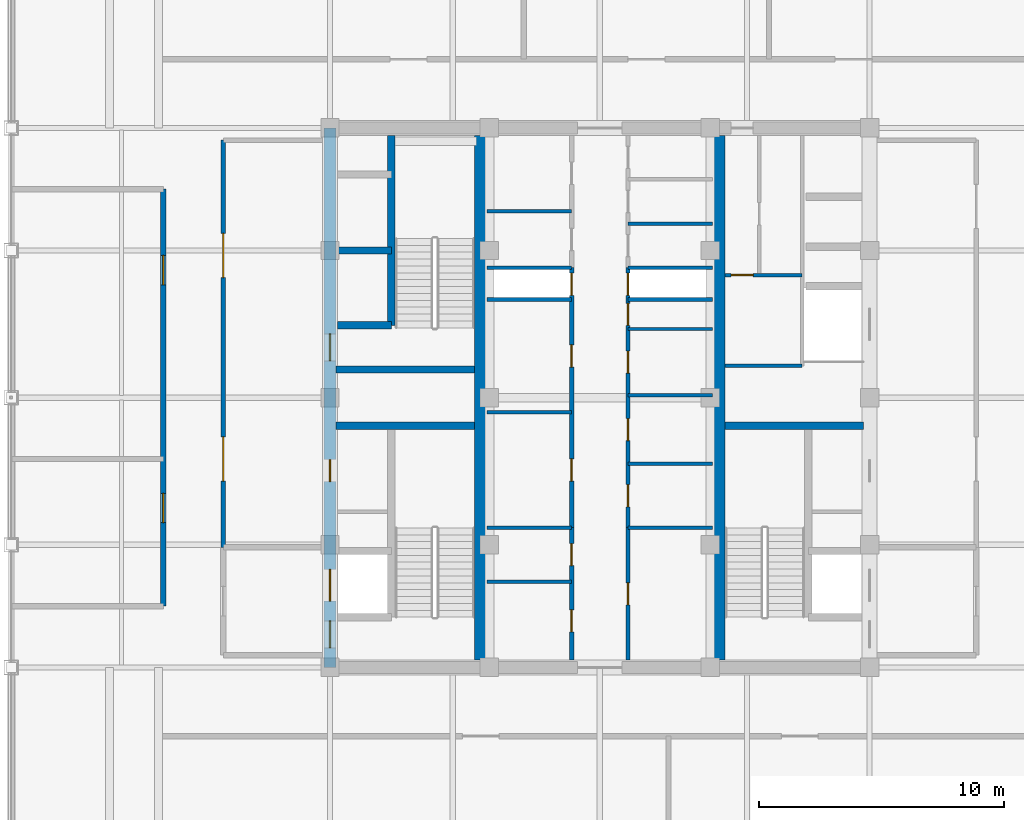
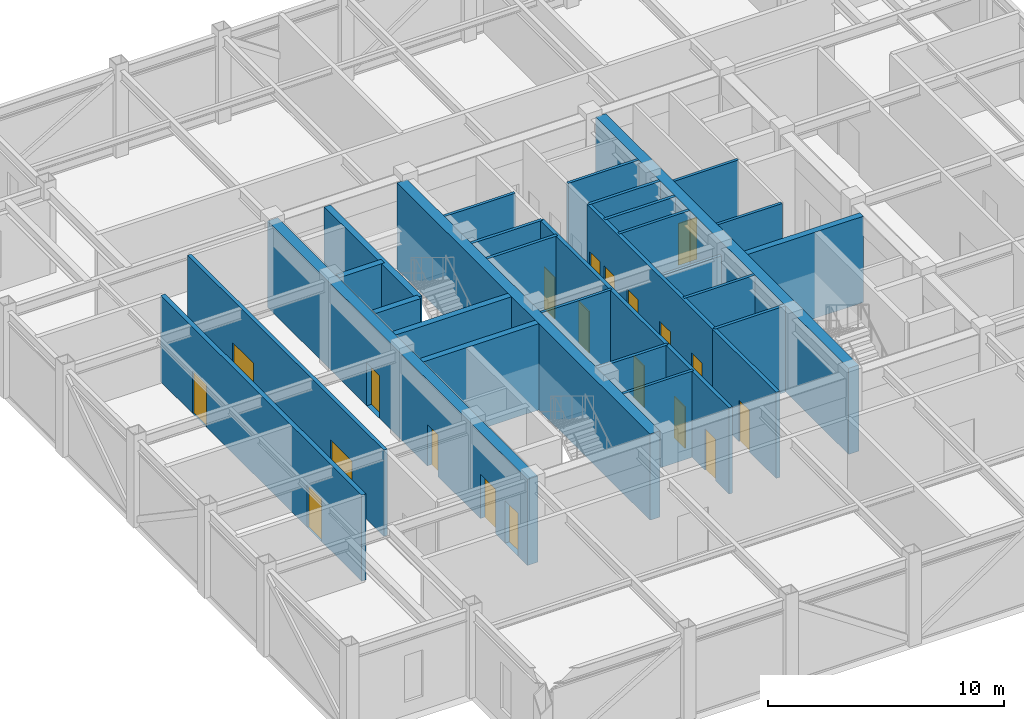
# One storey, part 24 of 27: 30 walls, 20 doors, 20 openings.
"""IFC4 building model written with IfcOpenShell, lengths in metres."""

from ifc_helpers import new_model, si_unit, direction, frame, frame_2d, origin, place, context, subcontext, project, spatial, rectangle, extrude, source, transform, mapped, material, layer, layer_set, type_object, element, fill, save


model = new_model("IFC4")

# Units and contexts
model_context = context("Model", 3, precision=1e-05, world=origin(), true_north=direction((0.0, 1.0)))
body_context = subcontext(model_context, "Body", "Model", "MODEL_VIEW")
ifc_project = project(units=[si_unit("LENGTHUNIT", "METRE"), si_unit("AREAUNIT", "SQUARE_METRE"), si_unit("VOLUMEUNIT", "CUBIC_METRE"), si_unit("PLANEANGLEUNIT", "RADIAN"), si_unit("MASSUNIT", "GRAM", prefix="KILO")], contexts=[model_context])

# Site, building, storey
site_placement = place(None, origin())
site = spatial("IfcSite", under=ifc_project, at=site_placement, CompositionType="ELEMENT")
building_placement = place(site_placement, origin())
building = spatial("IfcBuilding", under=site, at=building_placement, Name="Khorayat Bourse Tower", CompositionType="ELEMENT")
storey_placement = place(building_placement, frame((0.0, 0.0, 389.89990234375)))
storey = spatial("IfcBuildingStorey", under=building, at=storey_placement, Name="L92", CompositionType="ELEMENT", Elevation=389.89990234375)

# Wall, openings, doors
ifc_material_1 = material(Name="Concrete C52/65", Category="concrete")
ifc_layer_1 = layer(ifc_material_1, 0.5)
ifc_layer_set_1 = layer_set([ifc_layer_1], Name="Concrete C52/65")
wall_type_1 = type_object("IfcWallType", Name="WAL-CORE-500", PredefinedType="SHEAR", material=ifc_layer_set_1)
shared_shape_1 = source(origin(), body_context, "Body", "SweptSolid", [
    extrude(rectangle(XDim=22.0, YDim=0.5, at=frame_2d((11.0, 0.0))), origin(), (0.0, 0.0, 1.0), 4.4501953125),
])
wall_1_placement = place(storey_placement, frame((-11.0, -11.0, 0.0), z_axis=(0.0, 0.0, 1.0), x_axis=(0.0, 1.0, 0.0)))
wall_1 = element("IfcWall", 1, at=wall_1_placement, inside=storey, type_object=wall_type_1, Name="L92 Core Shear Wall CORE-W", PredefinedType="SHEAR", context=body_context, shape_type="MappedRepresentation", body=[
    mapped(shared_shape_1, transform((0.0, 0.0, 0.0), scale=1.0)),
])
shared_shape_2 = source(origin(), body_context, "Body", "SweptSolid", [
    extrude(rectangle(XDim=1.10009765625, YDim=2.199951171875, at=frame_2d((0.550048828125, 1.10009765625))), frame((0.0, 0.260009765625, 0.0), z_axis=(0.0, -1.0, 0.0), x_axis=(1.0, 0.0, 0.0)), (0.0, 0.0, 1.0), 0.52001953125),
])
opening_1_placement = place(wall_1_placement, frame((0.800048828125, 0.0, 0.0)))
opening_1 = element("IfcOpeningElement", 2, at=opening_1_placement, cuts=wall_1, Name="Opening DI-01", PredefinedType="OPENING", context=body_context, shape_type="MappedRepresentation", body=[
    mapped(shared_shape_2, transform((0.0, 0.0, 0.0), scale=1.0)),
])
opening_2_placement = place(wall_1_placement, frame((12.5, 0.0, 0.0)))
opening_2 = element("IfcOpeningElement", 3, at=opening_2_placement, cuts=wall_1, Name="Opening DI-01", PredefinedType="OPENING", context=body_context, shape_type="MappedRepresentation", body=[
    mapped(shared_shape_2, transform((0.0, 0.0, 0.0), scale=1.0)),
])
shared_shape_3 = source(origin(), body_context, "Body", "SweptSolid", [
    extrude(rectangle(XDim=0.89990234375, YDim=2.14990234375, at=frame_2d((0.449951171875, 1.074951171875))), frame((0.0, 0.260009765625, 0.0), z_axis=(0.0, -1.0, 0.0), x_axis=(1.0, 0.0, 0.0)), (0.0, 0.0, 1.0), 0.52001953125),
])
opening_3_placement = place(wall_1_placement, frame((7.574951171875, 0.0, 0.0)))
opening_3 = element("IfcOpeningElement", 4, at=opening_3_placement, cuts=wall_1, Name="Opening DI-06", PredefinedType="OPENING", context=body_context, shape_type="MappedRepresentation", body=[
    mapped(shared_shape_3, transform((0.0, 0.0, 0.0), scale=1.0)),
])
shared_shape_4 = source(origin(), body_context, "Body", "SweptSolid", [
    extrude(rectangle(XDim=1.300048828125, YDim=2.300048828125, at=frame_2d((0.64990234375, 1.14990234375))), frame((0.0, 0.260009765625, 0.0), z_axis=(0.0, -1.0, 0.0), x_axis=(1.0, 0.0, 0.0)), (0.0, 0.0, 1.0), 0.52001953125),
])
opening_4_placement = place(wall_1_placement, frame((2.699951171875, 0.0, 0.0)))
opening_4 = element("IfcOpeningElement", 5, at=opening_4_placement, cuts=wall_1, Name="Opening LD-02", PredefinedType="OPENING", context=body_context, shape_type="MappedRepresentation", body=[
    mapped(shared_shape_4, transform((0.0, 0.0, 0.0), scale=1.0)),
])
ifc_material_2 = material(Name="Fire-rated steel acoustic leaf", Category="steel")
door_type_1 = type_object("IfcDoorType", Name="DR-INT-STAIR-1100", OperationType="NOTDEFINED", PredefinedType="DOOR", material=ifc_material_2)
shared_shape_5 = source(origin(), body_context, "Body", "SweptSolid", [
    extrude(rectangle(XDim=1.10009765625, YDim=2.199951171875, at=frame_2d((0.550048828125, 1.10009765625))), frame((0.0, 0.02490234375, 0.0), z_axis=(0.0, -1.0, 0.0), x_axis=(1.0, 0.0, 0.0)), (0.0, 0.0, 1.0), 0.050048828125),
])
door_1_placement = place(opening_1_placement, origin())
door_1 = element("IfcDoor", 6, at=door_1_placement, inside=storey, type_object=door_type_1, Name="L92 Exit Stair 1 Door", OperationType="SINGLE_SWING_RIGHT", OverallHeight=2.199951171875, OverallWidth=1.10009765625, PredefinedType="DOOR", context=body_context, shape_type="MappedRepresentation", body=[
    mapped(shared_shape_5, transform((0.0, 0.0, 0.0), scale=1.0)),
])
fill(opening_1, door_1)
door_2_placement = place(opening_2_placement, origin())
door_2 = element("IfcDoor", 7, at=door_2_placement, inside=storey, type_object=door_type_1, Name="L92 Exit Stair 2 Door", OperationType="SINGLE_SWING_RIGHT", OverallHeight=2.199951171875, OverallWidth=1.10009765625, PredefinedType="DOOR", context=body_context, shape_type="MappedRepresentation", body=[
    mapped(shared_shape_5, transform((0.0, 0.0, 0.0), scale=1.0)),
])
fill(opening_2, door_2)
ifc_material_3 = material(Name="Moisture-resistant laminate washroom door")
door_type_2 = type_object("IfcDoorType", Name="DR-INT-WC-900", OperationType="NOTDEFINED", PredefinedType="DOOR", material=ifc_material_3)
shared_shape_6 = source(origin(), body_context, "Body", "SweptSolid", [
    extrude(rectangle(XDim=0.89990234375, YDim=2.14990234375, at=frame_2d((0.449951171875, 1.074951171875))), frame((0.0, 0.02490234375, 0.0), z_axis=(0.0, -1.0, 0.0), x_axis=(1.0, 0.0, 0.0)), (0.0, 0.0, 1.0), 0.050048828125),
])
door_3_placement = place(opening_3_placement, origin())
door_3 = element("IfcDoor", 8, at=door_3_placement, inside=storey, type_object=door_type_2, Name="L92 UPS Switch Plant Room Door", OperationType="SINGLE_SWING_RIGHT", OverallHeight=2.14990234375, OverallWidth=0.89990234375, PredefinedType="DOOR", context=body_context, shape_type="MappedRepresentation", body=[
    mapped(shared_shape_6, transform((0.0, 0.0, 0.0), scale=1.0)),
])
fill(opening_3, door_3)
ifc_material_4 = material(Name="Fire-rated stainless-steel sliding landing door", Category="steel")
door_type_3 = type_object("IfcDoorType", Name="DR-LIFT-FF-1300", OperationType="NOTDEFINED", PredefinedType="DOOR", material=ifc_material_4)
shared_shape_7 = source(origin(), body_context, "Body", "SweptSolid", [
    extrude(rectangle(XDim=1.300048828125, YDim=2.300048828125, at=frame_2d((0.64990234375, 1.14990234375))), frame((0.0, 0.02490234375, 0.0), z_axis=(0.0, -1.0, 0.0), x_axis=(1.0, 0.0, 0.0)), (0.0, 0.0, 1.0), 0.050048828125),
])
door_4_placement = place(opening_4_placement, origin())
door_4 = element("IfcDoor", 9, at=door_4_placement, inside=storey, type_object=door_type_3, Name="L92 Lift FFL-01 Sliding Landing Door", OperationType="SLIDING_TO_LEFT", OverallHeight=2.300048828125, OverallWidth=1.300048828125, PredefinedType="DOOR", context=body_context, shape_type="MappedRepresentation", body=[
    mapped(shared_shape_7, transform((0.0, 0.0, 0.0), scale=1.0)),
])
fill(opening_4, door_4)

# Walls
shared_shape_8 = source(origin(), body_context, "Body", "SweptSolid", [
    extrude(rectangle(XDim=21.39990234375, YDim=0.5, at=frame_2d((10.699951171875, 0.0))), origin(), (0.0, 0.0, 1.0), 4.4501953125),
])
for number, where, z_axis, x_axis, name in (
    (10, (-4.85009765625, -10.699951171875, 0.0), (0.0, 0.0, 1.0), (0.0, 1.0, 0.0), "L92 Core Shear Wall PIER-W"),
    (11, (4.85009765625, -10.699951171875, 0.0), (0.0, 0.0, 1.0), (0.0, 1.0, 0.0), "L92 Core Shear Wall PIER-E"),
):
    element("IfcWall", number, at=place(storey_placement, frame(where, z_axis=z_axis, x_axis=x_axis)), inside=storey, type_object=wall_type_1, Name=name, PredefinedType="SHEAR", context=body_context, shape_type="MappedRepresentation", body=[
        mapped(shared_shape_8, transform((0.0, 0.0, 0.0), scale=1.0)),
    ])
ifc_material_5 = material(Name="Concrete C50/60", Category="concrete")
ifc_layer_2 = layer(ifc_material_5, 0.300048828125)
ifc_layer_set_2 = layer_set([ifc_layer_2], Name="Concrete C50/60")
wall_type_2 = type_object("IfcWallType", Name="WAL-SHAFT-300", PredefinedType="SHEAR", material=ifc_layer_set_2)
shared_shape_9 = source(origin(), body_context, "Body", "SweptSolid", [
    extrude(rectangle(XDim=5.64990234375, YDim=0.300048828125, at=frame_2d((2.824951171875, 0.0))), origin(), (0.0, 0.0, 1.0), 4.4501953125),
])
for number, where, z_axis, x_axis, name in (
    (12, (-10.75, -1.14990234375, 0.0), (0.0, 0.0, 1.0), (1.0, 0.0, 0.0), "L92 Core Shear Wall ST1-DIV"),
    (13, (-10.75, 1.14990234375, 0.0), (0.0, 0.0, 1.0), (1.0, 0.0, 0.0), "L92 Core Shear Wall ST2-DIV"),
    (14, (5.10009765625, -1.14990234375, 0.0), (0.0, 0.0, 1.0), (1.0, 0.0, 0.0), "L92 Core Shear Wall ST3-DIV"),
):
    element("IfcWall", number, at=place(storey_placement, frame(where, z_axis=z_axis, x_axis=x_axis)), inside=storey, type_object=wall_type_2, Name=name, PredefinedType="SHEAR", context=body_context, shape_type="MappedRepresentation", body=[
        mapped(shared_shape_9, transform((0.0, 0.0, 0.0), scale=1.0)),
    ])
shared_shape_10 = source(origin(), body_context, "Body", "SweptSolid", [
    extrude(rectangle(XDim=2.199951171875, YDim=0.300048828125, at=frame_2d((1.10009765625, 0.0))), origin(), (0.0, 0.0, 1.0), 4.4501953125),
])
for number, where, z_axis, x_axis, name in (
    (15, (-10.699951171875, 2.949951171875, 0.0), (0.0, 0.0, 1.0), (1.0, 0.0, 0.0), "L92 Partition WAL-L92-WPIER-H1S"),
    (16, (-10.699951171875, 6.0, 0.0), (0.0, 0.0, 1.0), (1.0, 0.0, 0.0), "L92 Partition WAL-L92-WPIER-H12"),
):
    element("IfcWall", number, at=place(storey_placement, frame(where, z_axis=z_axis, x_axis=x_axis)), inside=storey, type_object=wall_type_2, Name=name, PredefinedType="SHEAR", context=body_context, shape_type="MappedRepresentation", body=[
        mapped(shared_shape_10, transform((0.0, 0.0, 0.0), scale=1.0)),
    ])
shared_shape_11 = source(origin(), body_context, "Body", "SweptSolid", [
    extrude(rectangle(XDim=7.75, YDim=0.300048828125, at=frame_2d((3.875, 0.0))), origin(), (0.0, 0.0, 1.0), 4.4501953125),
])
wall_2_placement = place(storey_placement, frame((-8.5, 2.949951171875, 0.0), z_axis=(0.0, 0.0, 1.0), x_axis=(0.0, 1.0, 0.0)))
element("IfcWall", 17, at=wall_2_placement, inside=storey, type_object=wall_type_2, Name="L92 Partition WAL-L92-WPIER-ST2S", PredefinedType="SHEAR", context=body_context, shape_type="MappedRepresentation", body=[
    mapped(shared_shape_11, transform((0.0, 0.0, 0.0), scale=1.0)),
])
ifc_material_6 = material(Name="Moisture-resistant masonry partition", Category="masonry")
ifc_layer_3 = layer(ifc_material_6, 0.139892578125)
ifc_layer_set_3 = layer_set([ifc_layer_3], Name="Moisture-resistant masonry partition")
wall_type_3 = type_object("IfcWallType", Name="WAL-PART-WET-140", PredefinedType="PARTITIONING", material=ifc_layer_set_3)
shared_shape_12 = source(origin(), body_context, "Body", "SweptSolid", [
    extrude(rectangle(XDim=3.14990234375, YDim=0.139892578125, at=frame_2d((1.574951171875, 0.0))), origin(), (0.0, 0.0, 1.0), 4.4501953125),
])
wall_3_placement = place(storey_placement, frame((5.10009765625, 1.300048828125, 0.0), z_axis=(0.0, 0.0, 1.0), x_axis=(1.0, 0.0, 0.0)))
element("IfcWall", 18, at=wall_3_placement, inside=storey, type_object=wall_type_3, Name="L92 Partition WAL-L92-ECORE-S", PredefinedType="PARTITIONING", context=body_context, shape_type="MappedRepresentation", body=[
    mapped(shared_shape_12, transform((0.0, 0.0, 0.0), scale=1.0)),
])

# Wall, opening, door
wall_4_placement = place(storey_placement, frame((5.10009765625, 5.0, 0.0), z_axis=(0.0, 0.0, 1.0), x_axis=(1.0, 0.0, 0.0)))
wall_4 = element("IfcWall", 19, at=wall_4_placement, inside=storey, type_object=wall_type_3, Name="L92 Partition WAL-L92-ECW-BOT", PredefinedType="PARTITIONING", context=body_context, shape_type="MappedRepresentation", body=[
    mapped(shared_shape_12, transform((0.0, 0.0, 0.0), scale=1.0)),
])
shared_shape_13 = source(origin(), body_context, "Body", "SweptSolid", [
    extrude(rectangle(XDim=0.89990234375, YDim=2.14990234375, at=frame_2d((0.449951171875, 1.074951171875))), frame((0.0, 0.079833984375, 0.0), z_axis=(0.0, -1.0, 0.0), x_axis=(1.0, 0.0, 0.0)), (0.0, 0.0, 1.0), 0.159912109375),
])
opening_5_placement = place(wall_4_placement, frame((0.25, 0.0, 0.0)))
opening_5 = element("IfcOpeningElement", 20, at=opening_5_placement, cuts=wall_4, Name="Opening DI-06", PredefinedType="OPENING", context=body_context, shape_type="MappedRepresentation", body=[
    mapped(shared_shape_13, transform((0.0, 0.0, 0.0), scale=1.0)),
])
door_5_placement = place(opening_5_placement, origin())
door_5 = element("IfcDoor", 21, at=door_5_placement, inside=storey, type_object=door_type_2, Name="L92 Shared Washroom Door", OperationType="SINGLE_SWING_LEFT", OverallHeight=2.14990234375, OverallWidth=0.89990234375, PredefinedType="DOOR", context=body_context, shape_type="MappedRepresentation", body=[
    mapped(shared_shape_6, transform((0.0, 0.0, 0.0), scale=1.0)),
])
fill(opening_5, door_5)

# Wall, openings, doors
ifc_material_7 = material(Name="Gypsum plasterboard acoustic stud wall")
ifc_layer_4 = layer(ifc_material_7, 0.179931640625)
ifc_layer_set_4 = layer_set([ifc_layer_4], Name="Gypsum plasterboard acoustic stud wall")
wall_type_4 = type_object("IfcWallType", Name="WAL-PART-CORR-180", PredefinedType="PARTITIONING", material=ifc_layer_set_4)
shared_shape_14 = source(origin(), body_context, "Body", "SweptSolid", [
    extrude(rectangle(XDim=16.60009765625, YDim=0.179931640625, at=frame_2d((8.300048828125, 0.0))), origin(), (0.0, 0.0, 1.0), 4.4501953125),
])
wall_5_placement = place(storey_placement, frame((-15.35009765625, -6.10009765625, 0.0), z_axis=(0.0, 0.0, 1.0), x_axis=(0.0, 1.0, 0.0)))
wall_5 = element("IfcWall", 22, at=wall_5_placement, inside=storey, type_object=wall_type_4, Name="L92 Partition WAL-L92-WLOB-W", PredefinedType="PARTITIONING", context=body_context, shape_type="MappedRepresentation", body=[
    mapped(shared_shape_14, transform((0.0, 0.0, 0.0), scale=1.0)),
])
shared_shape_15 = source(origin(), body_context, "Body", "SweptSolid", [
    extrude(rectangle(XDim=1.800048828125, YDim=2.25, at=frame_2d((0.89990234375, 1.125))), frame((0.0, 0.099853515625, 0.0), z_axis=(0.0, -1.0, 0.0), x_axis=(1.0, 0.0, 0.0)), (0.0, 0.0, 1.0), 0.199951171875),
])
opening_6_placement = place(wall_5_placement, frame((2.699951171875, 0.0, 0.0)))
opening_6 = element("IfcOpeningElement", 23, at=opening_6_placement, cuts=wall_5, Name="Opening DI-03", PredefinedType="OPENING", context=body_context, shape_type="MappedRepresentation", body=[
    mapped(shared_shape_15, transform((0.0, 0.0, 0.0), scale=1.0)),
])
opening_7_placement = place(wall_5_placement, frame((11.0, 0.0, 0.0)))
opening_7 = element("IfcOpeningElement", 24, at=opening_7_placement, cuts=wall_5, Name="Opening DI-03", PredefinedType="OPENING", context=body_context, shape_type="MappedRepresentation", body=[
    mapped(shared_shape_15, transform((0.0, 0.0, 0.0), scale=1.0)),
])
ifc_material_8 = material(Name="Fire-rated hardwood vision-panel double leaf", Category="wood")
door_type_4 = type_object("IfcDoorType", Name="DR-INT-CORR-1800", OperationType="NOTDEFINED", PredefinedType="DOOR", material=ifc_material_8)
shared_shape_16 = source(origin(), body_context, "Body", "SweptSolid", [
    extrude(rectangle(XDim=1.800048828125, YDim=2.25, at=frame_2d((0.89990234375, 1.125))), frame((0.0, 0.02490234375, 0.0), z_axis=(0.0, -1.0, 0.0), x_axis=(1.0, 0.0, 0.0)), (0.0, 0.0, 1.0), 0.050048828125),
])
door_6_placement = place(opening_6_placement, origin())
door_6 = element("IfcDoor", 25, at=door_6_placement, inside=storey, type_object=door_type_4, Name="L92 West Core Lobby South Door", OperationType="SINGLE_SWING_LEFT", OverallHeight=2.25, OverallWidth=1.800048828125, PredefinedType="DOOR", context=body_context, shape_type="MappedRepresentation", body=[
    mapped(shared_shape_16, transform((0.0, 0.0, 0.0), scale=1.0)),
])
fill(opening_6, door_6)
door_7_placement = place(opening_7_placement, origin())
door_7 = element("IfcDoor", 26, at=door_7_placement, inside=storey, type_object=door_type_4, Name="L92 West Core Lobby North Door", OperationType="SINGLE_SWING_RIGHT", OverallHeight=2.25, OverallWidth=1.800048828125, PredefinedType="DOOR", context=body_context, shape_type="MappedRepresentation", body=[
    mapped(shared_shape_16, transform((0.0, 0.0, 0.0), scale=1.0)),
])
fill(opening_7, door_7)

# Walls
ifc_material_9 = material(Name="Gypsum plasterboard twin-frame partition")
ifc_layer_5 = layer(ifc_material_9, 0.14990234375)
ifc_layer_set_5 = layer_set([ifc_layer_5], Name="Gypsum plasterboard twin-frame partition")
wall_type_5 = type_object("IfcWallType", Name="WAL-PART-SUITE-150", PredefinedType="PARTITIONING", material=ifc_layer_set_5)
shared_shape_17 = source(origin(), body_context, "Body", "SweptSolid", [
    extrude(rectangle(XDim=3.4501953125, YDim=0.14990234375, at=frame_2d((1.72509765625, 0.0))), origin(), (0.0, 0.0, 1.0), 4.4501953125),
])
for number, where, z_axis, x_axis, name in (
    (27, (-4.60009765625, 4.0, 0.0), (0.0, 0.0, 1.0), (1.0, 0.0, 0.0), "L92 Partition WAL-L92-CRSW-S"),
    (28, (1.14990234375, 4.0, 0.0), (0.0, 0.0, 1.0), (1.0, 0.0, 0.0), "L92 Partition WAL-L92-CRSE-S"),
    (29, (-4.60009765625, -5.300048828125, 0.0), (0.0, 0.0, 1.0), (1.0, 0.0, 0.0), "L92 Partition WAL-L92-FB1-NW"),
    (30, (1.14990234375, -5.300048828125, 0.0), (0.0, 0.0, 1.0), (1.0, 0.0, 0.0), "L92 Partition WAL-L92-FB1-NE"),
    (31, (-4.60009765625, 5.300048828125, 0.0), (0.0, 0.0, 1.0), (1.0, 0.0, 0.0), "L92 Partition WAL-L92-FB2-SW"),
    (32, (1.14990234375, 5.300048828125, 0.0), (0.0, 0.0, 1.0), (1.0, 0.0, 0.0), "L92 Partition WAL-L92-FB2-SE"),
):
    element("IfcWall", number, at=place(storey_placement, frame(where, z_axis=z_axis, x_axis=x_axis)), inside=storey, type_object=wall_type_5, Name=name, PredefinedType="PARTITIONING", context=body_context, shape_type="MappedRepresentation", body=[
        mapped(shared_shape_17, transform((0.0, 0.0, 0.0), scale=1.0)),
    ])
shared_shape_18 = source(origin(), body_context, "Body", "SweptSolid", [
    extrude(rectangle(XDim=3.4501953125, YDim=0.139892578125, at=frame_2d((1.72509765625, 0.0))), origin(), (0.0, 0.0, 1.0), 4.4501953125),
])
for number, where, z_axis, x_axis, name in (
    (33, (-4.60009765625, -7.5, 0.0), (0.0, 0.0, 1.0), (1.0, 0.0, 0.0), "L92 Partition WAL-L92-FB1W-D1"),
    (34, (-4.60009765625, 7.60009765625, 0.0), (0.0, 0.0, 1.0), (1.0, 0.0, 0.0), "L92 Partition WAL-L92-FB2W-D1"),
    (35, (1.14990234375, 7.10009765625, 0.0), (0.0, 0.0, 1.0), (1.0, 0.0, 0.0), "L92 Partition WAL-L92-FB2E-D1"),
    (36, (-4.60009765625, -0.60009765625, 0.0), (0.0, 0.0, 1.0), (1.0, 0.0, 0.0), "L92 Partition WAL-L92-CMW-D1"),
    (37, (1.14990234375, -2.699951171875, 0.0), (0.0, 0.0, 1.0), (1.0, 0.0, 0.0), "L92 Partition WAL-L92-CME-D1"),
    (38, (1.14990234375, 2.800048828125, 0.0), (0.0, 0.0, 1.0), (1.0, 0.0, 0.0), "L92 Partition WAL-L92-CME-D3"),
):
    element("IfcWall", number, at=place(storey_placement, frame(where, z_axis=z_axis, x_axis=x_axis)), inside=storey, type_object=wall_type_3, Name=name, PredefinedType="PARTITIONING", context=body_context, shape_type="MappedRepresentation", body=[
        mapped(shared_shape_18, transform((0.0, 0.0, 0.0), scale=1.0)),
    ])

# Wall, openings, doors
shared_shape_19 = source(origin(), body_context, "Body", "SweptSolid", [
    extrude(rectangle(XDim=5.39990234375, YDim=0.179931640625, at=frame_2d((2.699951171875, 0.0))), origin(), (0.0, 0.0, 1.0), 4.4501953125),
])
wall_6_placement = place(storey_placement, frame((-1.14990234375, -10.699951171875, 0.0), z_axis=(0.0, 0.0, 1.0), x_axis=(0.0, 1.0, 0.0)))
wall_6 = element("IfcWall", 39, at=wall_6_placement, inside=storey, type_object=wall_type_4, Name="L92 Partition WAL-L92-FB1W-L", PredefinedType="PARTITIONING", context=body_context, shape_type="MappedRepresentation", body=[
    mapped(shared_shape_19, transform((0.0, 0.0, 0.0), scale=1.0)),
])
shared_shape_20 = source(origin(), body_context, "Body", "SweptSolid", [
    extrude(rectangle(XDim=0.89990234375, YDim=2.14990234375, at=frame_2d((0.449951171875, 1.074951171875))), frame((0.0, 0.099853515625, 0.0), z_axis=(0.0, -1.0, 0.0), x_axis=(1.0, 0.0, 0.0)), (0.0, 0.0, 1.0), 0.199951171875),
])
opening_8_placement = place(wall_6_placement, frame((1.14990234375, 0.0, 0.0)))
opening_8 = element("IfcOpeningElement", 40, at=opening_8_placement, cuts=wall_6, Name="Opening DI-06", PredefinedType="OPENING", context=body_context, shape_type="MappedRepresentation", body=[
    mapped(shared_shape_20, transform((0.0, 0.0, 0.0), scale=1.0)),
])
opening_9_placement = place(wall_6_placement, frame((3.85009765625, 0.0, 0.0)))
opening_9 = element("IfcOpeningElement", 41, at=opening_9_placement, cuts=wall_6, Name="Opening DI-06", PredefinedType="OPENING", context=body_context, shape_type="MappedRepresentation", body=[
    mapped(shared_shape_20, transform((0.0, 0.0, 0.0), scale=1.0)),
])
door_8_placement = place(opening_8_placement, origin())
door_8 = element("IfcDoor", 42, at=door_8_placement, inside=storey, type_object=door_type_2, Name="L92 Records Vault Store Door", OperationType="SINGLE_SWING_RIGHT", OverallHeight=2.14990234375, OverallWidth=0.89990234375, PredefinedType="DOOR", context=body_context, shape_type="MappedRepresentation", body=[
    mapped(shared_shape_6, transform((0.0, 0.0, 0.0), scale=1.0)),
])
fill(opening_8, door_8)
door_9_placement = place(opening_9_placement, origin())
door_9 = element("IfcDoor", 43, at=door_9_placement, inside=storey, type_object=door_type_2, Name="L92 Sprinkler Valve Plant Room Door", OperationType="SINGLE_SWING_LEFT", OverallHeight=2.14990234375, OverallWidth=0.89990234375, PredefinedType="DOOR", context=body_context, shape_type="MappedRepresentation", body=[
    mapped(shared_shape_6, transform((0.0, 0.0, 0.0), scale=1.0)),
])
fill(opening_9, door_9)

# Wall, opening, door
wall_7_placement = place(storey_placement, frame((1.14990234375, -10.699951171875, 0.0), z_axis=(0.0, 0.0, 1.0), x_axis=(0.0, 1.0, 0.0)))
wall_7 = element("IfcWall", 44, at=wall_7_placement, inside=storey, type_object=wall_type_4, Name="L92 Partition WAL-L92-FB1E-L", PredefinedType="PARTITIONING", context=body_context, shape_type="MappedRepresentation", body=[
    mapped(shared_shape_19, transform((0.0, 0.0, 0.0), scale=1.0)),
])
opening_10_placement = place(wall_7_placement, frame((2.25, 0.0, 0.0)))
opening_10 = element("IfcOpeningElement", 45, at=opening_10_placement, cuts=wall_7, Name="Opening DI-06", PredefinedType="OPENING", context=body_context, shape_type="MappedRepresentation", body=[
    mapped(shared_shape_20, transform((0.0, 0.0, 0.0), scale=1.0)),
])
door_10_placement = place(opening_10_placement, origin())
door_10 = element("IfcDoor", 46, at=door_10_placement, inside=storey, type_object=door_type_2, Name="L92 Telemetry Server Plant Room Door", OperationType="SINGLE_SWING_RIGHT", OverallHeight=2.14990234375, OverallWidth=0.89990234375, PredefinedType="DOOR", context=body_context, shape_type="MappedRepresentation", body=[
    mapped(shared_shape_6, transform((0.0, 0.0, 0.0), scale=1.0)),
])
fill(opening_10, door_10)

# Wall, openings, doors
shared_shape_21 = source(origin(), body_context, "Body", "SweptSolid", [
    extrude(rectangle(XDim=10.60009765625, YDim=0.179931640625, at=frame_2d((5.300048828125, 0.0))), origin(), (0.0, 0.0, 1.0), 4.4501953125),
])
wall_8_placement = place(storey_placement, frame((-1.14990234375, -5.300048828125, 0.0), z_axis=(0.0, 0.0, 1.0), x_axis=(0.0, 1.0, 0.0)))
wall_8 = element("IfcWall", 47, at=wall_8_placement, inside=storey, type_object=wall_type_4, Name="L92 Partition WAL-L92-CMW-L", PredefinedType="PARTITIONING", context=body_context, shape_type="MappedRepresentation", body=[
    mapped(shared_shape_21, transform((0.0, 0.0, 0.0), scale=1.0)),
])
opening_11_placement = place(wall_8_placement, frame((1.89990234375, 0.0, 0.0)))
opening_11 = element("IfcOpeningElement", 48, at=opening_11_placement, cuts=wall_8, Name="Opening DI-06", PredefinedType="OPENING", context=body_context, shape_type="MappedRepresentation", body=[
    mapped(shared_shape_20, transform((0.0, 0.0, 0.0), scale=1.0)),
])
opening_12_placement = place(wall_8_placement, frame((6.550048828125, 0.0, 0.0)))
opening_12 = element("IfcOpeningElement", 49, at=opening_12_placement, cuts=wall_8, Name="Opening DI-06", PredefinedType="OPENING", context=body_context, shape_type="MappedRepresentation", body=[
    mapped(shared_shape_20, transform((0.0, 0.0, 0.0), scale=1.0)),
])
opening_13_placement = place(wall_8_placement, frame((9.47509765625, 0.0, 0.0)))
opening_13 = element("IfcOpeningElement", 50, at=opening_13_placement, cuts=wall_8, Name="Opening DI-06", PredefinedType="OPENING", context=body_context, shape_type="MappedRepresentation", body=[
    mapped(shared_shape_20, transform((0.0, 0.0, 0.0), scale=1.0)),
])
door_11_placement = place(opening_11_placement, origin())
door_11 = element("IfcDoor", 51, at=door_11_placement, inside=storey, type_object=door_type_2, Name="L92 Male Core Washroom Door", OperationType="SINGLE_SWING_RIGHT", OverallHeight=2.14990234375, OverallWidth=0.89990234375, PredefinedType="DOOR", context=body_context, shape_type="MappedRepresentation", body=[
    mapped(shared_shape_6, transform((0.0, 0.0, 0.0), scale=1.0)),
])
fill(opening_11, door_11)
door_12_placement = place(opening_12_placement, origin())
door_12 = element("IfcDoor", 52, at=door_12_placement, inside=storey, type_object=door_type_2, Name="L92 Chilled Water Riser Plant Room Door", OperationType="SINGLE_SWING_LEFT", OverallHeight=2.14990234375, OverallWidth=0.89990234375, PredefinedType="DOOR", context=body_context, shape_type="MappedRepresentation", body=[
    mapped(shared_shape_6, transform((0.0, 0.0, 0.0), scale=1.0)),
])
fill(opening_12, door_12)
door_13_placement = place(opening_13_placement, origin())
door_13 = element("IfcDoor", 53, at=door_13_placement, inside=storey, type_object=door_type_2, Name="L92 West Core Riser Door", OperationType="SINGLE_SWING_LEFT", OverallHeight=2.14990234375, OverallWidth=0.89990234375, PredefinedType="DOOR", context=body_context, shape_type="MappedRepresentation", body=[
    mapped(shared_shape_6, transform((0.0, 0.0, 0.0), scale=1.0)),
])
fill(opening_13, door_13)

wall_9_placement = place(storey_placement, frame((1.14990234375, -5.300048828125, 0.0), z_axis=(0.0, 0.0, 1.0), x_axis=(0.0, 1.0, 0.0)))
wall_9 = element("IfcWall", 54, at=wall_9_placement, inside=storey, type_object=wall_type_4, Name="L92 Partition WAL-L92-CME-L", PredefinedType="PARTITIONING", context=body_context, shape_type="MappedRepresentation", body=[
    mapped(shared_shape_21, transform((0.0, 0.0, 0.0), scale=1.0)),
])
opening_14_placement = place(wall_9_placement, frame((0.85009765625, 0.0, 0.0)))
opening_14 = element("IfcOpeningElement", 55, at=opening_14_placement, cuts=wall_9, Name="Opening DI-06", PredefinedType="OPENING", context=body_context, shape_type="MappedRepresentation", body=[
    mapped(shared_shape_20, transform((0.0, 0.0, 0.0), scale=1.0)),
])
opening_15_placement = place(wall_9_placement, frame((3.550048828125, 0.0, 0.0)))
opening_15 = element("IfcOpeningElement", 56, at=opening_15_placement, cuts=wall_9, Name="Opening DI-06", PredefinedType="OPENING", context=body_context, shape_type="MappedRepresentation", body=[
    mapped(shared_shape_20, transform((0.0, 0.0, 0.0), scale=1.0)),
])
opening_16_placement = place(wall_9_placement, frame((6.300048828125, 0.0, 0.0)))
opening_16 = element("IfcOpeningElement", 57, at=opening_16_placement, cuts=wall_9, Name="Opening DI-06", PredefinedType="OPENING", context=body_context, shape_type="MappedRepresentation", body=[
    mapped(shared_shape_20, transform((0.0, 0.0, 0.0), scale=1.0)),
])
opening_17_placement = place(wall_9_placement, frame((8.25, 0.0, 0.0)))
opening_17 = element("IfcOpeningElement", 58, at=opening_17_placement, cuts=wall_9, Name="Opening DI-06", PredefinedType="OPENING", context=body_context, shape_type="MappedRepresentation", body=[
    mapped(shared_shape_20, transform((0.0, 0.0, 0.0), scale=1.0)),
])
opening_18_placement = place(wall_9_placement, frame((9.47509765625, 0.0, 0.0)))
opening_18 = element("IfcOpeningElement", 59, at=opening_18_placement, cuts=wall_9, Name="Opening DI-06", PredefinedType="OPENING", context=body_context, shape_type="MappedRepresentation", body=[
    mapped(shared_shape_20, transform((0.0, 0.0, 0.0), scale=1.0)),
])
door_14_placement = place(opening_14_placement, origin())
door_14 = element("IfcDoor", 60, at=door_14_placement, inside=storey, type_object=door_type_2, Name="L92 Female Core Washroom Door", OperationType="SINGLE_SWING_RIGHT", OverallHeight=2.14990234375, OverallWidth=0.89990234375, PredefinedType="DOOR", context=body_context, shape_type="MappedRepresentation", body=[
    mapped(shared_shape_6, transform((0.0, 0.0, 0.0), scale=1.0)),
])
fill(opening_14, door_14)
door_15_placement = place(opening_15_placement, origin())
door_15 = element("IfcDoor", 61, at=door_15_placement, inside=storey, type_object=door_type_2, Name="L92 Comms Patch Room Door", OperationType="SINGLE_SWING_LEFT", OverallHeight=2.14990234375, OverallWidth=0.89990234375, PredefinedType="DOOR", context=body_context, shape_type="MappedRepresentation", body=[
    mapped(shared_shape_6, transform((0.0, 0.0, 0.0), scale=1.0)),
])
fill(opening_15, door_15)
door_16_placement = place(opening_16_placement, origin())
door_16 = element("IfcDoor", 62, at=door_16_placement, inside=storey, type_object=door_type_2, Name="L92 Janitor Cupboard Door", OperationType="SINGLE_SWING_RIGHT", OverallHeight=2.14990234375, OverallWidth=0.89990234375, PredefinedType="DOOR", context=body_context, shape_type="MappedRepresentation", body=[
    mapped(shared_shape_6, transform((0.0, 0.0, 0.0), scale=1.0)),
])
fill(opening_16, door_16)
door_17_placement = place(opening_17_placement, origin())
door_17 = element("IfcDoor", 63, at=door_17_placement, inside=storey, type_object=door_type_2, Name="L92 Fire Valve Plant Room Door", OperationType="SINGLE_SWING_LEFT", OverallHeight=2.14990234375, OverallWidth=0.89990234375, PredefinedType="DOOR", context=body_context, shape_type="MappedRepresentation", body=[
    mapped(shared_shape_6, transform((0.0, 0.0, 0.0), scale=1.0)),
])
fill(opening_17, door_17)
door_18_placement = place(opening_18_placement, origin())
door_18 = element("IfcDoor", 64, at=door_18_placement, inside=storey, type_object=door_type_2, Name="L92 East Core Riser Door", OperationType="SINGLE_SWING_RIGHT", OverallHeight=2.14990234375, OverallWidth=0.89990234375, PredefinedType="DOOR", context=body_context, shape_type="MappedRepresentation", body=[
    mapped(shared_shape_6, transform((0.0, 0.0, 0.0), scale=1.0)),
])
fill(opening_18, door_18)

# Wall
shared_shape_22 = source(origin(), body_context, "Body", "SweptSolid", [
    extrude(rectangle(XDim=3.4501953125, YDim=0.139892578125, at=frame_2d((1.72509765625, 0.0))), origin(), (0.0, 0.0, 1.0), 3.755126953125),
])
wall_10_placement = place(storey_placement, frame((1.14990234375, 0.10009765625, 0.0), z_axis=(0.0, 0.0, 1.0), x_axis=(1.0, 0.0, 0.0)))
element("IfcWall", 65, at=wall_10_placement, inside=storey, type_object=wall_type_3, Name="L92 Partition WAL-L92-CME-D2", PredefinedType="PARTITIONING", context=body_context, shape_type="MappedRepresentation", body=[
    mapped(shared_shape_22, transform((0.0, 0.0, 0.0), scale=1.0)),
])

# Wall, openings, doors
ifc_material_10 = material(Name="Aerated concrete blockwork", Category="masonry")
ifc_layer_6 = layer(ifc_material_10, 0.219970703125)
ifc_layer_set_6 = layer_set([ifc_layer_6], Name="Aerated concrete blockwork")
wall_type_6 = type_object("IfcWallType", Name="WAL-PART-FF-220", PredefinedType="PARTITIONING", material=ifc_layer_set_6)
shared_shape_23 = source(origin(), body_context, "Body", "SweptSolid", [
    extrude(rectangle(XDim=17.0, YDim=0.219970703125, at=frame_2d((8.5, 0.0))), origin(), (0.0, 0.0, 1.0), 4.4501953125),
])
wall_11_placement = place(storey_placement, frame((-17.800048828125, -8.5, 0.0), z_axis=(0.0, 0.0, 1.0), x_axis=(0.0, 1.0, 0.0)))
wall_11 = element("IfcWall", 66, at=wall_11_placement, inside=storey, type_object=wall_type_6, Name="L92 Partition WAL-L92-PLW-E", PredefinedType="PARTITIONING", context=body_context, shape_type="MappedRepresentation", body=[
    mapped(shared_shape_23, transform((0.0, 0.0, 0.0), scale=1.0)),
])
shared_shape_24 = source(origin(), body_context, "Body", "SweptSolid", [
    extrude(rectangle(XDim=1.199951171875, YDim=2.199951171875, at=frame_2d((0.60009765625, 1.10009765625))), frame((0.0, 0.119873046875, 0.0), z_axis=(0.0, -1.0, 0.0), x_axis=(1.0, 0.0, 0.0)), (0.0, 0.0, 1.0), 0.239990234375),
])
opening_19_placement = place(wall_11_placement, frame((3.39990234375, 0.0, 0.0)))
opening_19 = element("IfcOpeningElement", 67, at=opening_19_placement, cuts=wall_11, Name="Opening DI-02", PredefinedType="OPENING", context=body_context, shape_type="MappedRepresentation", body=[
    mapped(shared_shape_24, transform((0.0, 0.0, 0.0), scale=1.0)),
])
opening_20_placement = place(wall_11_placement, frame((13.10009765625, 0.0, 0.0)))
opening_20 = element("IfcOpeningElement", 68, at=opening_20_placement, cuts=wall_11, Name="Opening DI-02", PredefinedType="OPENING", context=body_context, shape_type="MappedRepresentation", body=[
    mapped(shared_shape_24, transform((0.0, 0.0, 0.0), scale=1.0)),
])
ifc_material_11 = material(Name="Fire-rated steel double-seal leaf", Category="steel")
door_type_5 = type_object("IfcDoorType", Name="DR-INT-FFLOBBY-1200", OperationType="NOTDEFINED", PredefinedType="DOOR", material=ifc_material_11)
shared_shape_25 = source(origin(), body_context, "Body", "SweptSolid", [
    extrude(rectangle(XDim=1.199951171875, YDim=2.199951171875, at=frame_2d((0.60009765625, 1.10009765625))), frame((0.0, 0.02490234375, 0.0), z_axis=(0.0, -1.0, 0.0), x_axis=(1.0, 0.0, 0.0)), (0.0, 0.0, 1.0), 0.050048828125),
])
door_19_placement = place(opening_19_placement, origin())
door_19 = element("IfcDoor", 69, at=door_19_placement, inside=storey, type_object=door_type_5, Name="L92 Heat Recovery Plant South Door", OperationType="SINGLE_SWING_LEFT", OverallHeight=2.199951171875, OverallWidth=1.199951171875, PredefinedType="DOOR", context=body_context, shape_type="MappedRepresentation", body=[
    mapped(shared_shape_25, transform((0.0, 0.0, 0.0), scale=1.0)),
])
fill(opening_19, door_19)
door_20_placement = place(opening_20_placement, origin())
door_20 = element("IfcDoor", 70, at=door_20_placement, inside=storey, type_object=door_type_5, Name="L92 Lighting Control Door", OperationType="SINGLE_SWING_RIGHT", OverallHeight=2.199951171875, OverallWidth=1.199951171875, PredefinedType="DOOR", context=body_context, shape_type="MappedRepresentation", body=[
    mapped(shared_shape_25, transform((0.0, 0.0, 0.0), scale=1.0)),
])
fill(opening_20, door_20)

save(model, "model.ifc")
